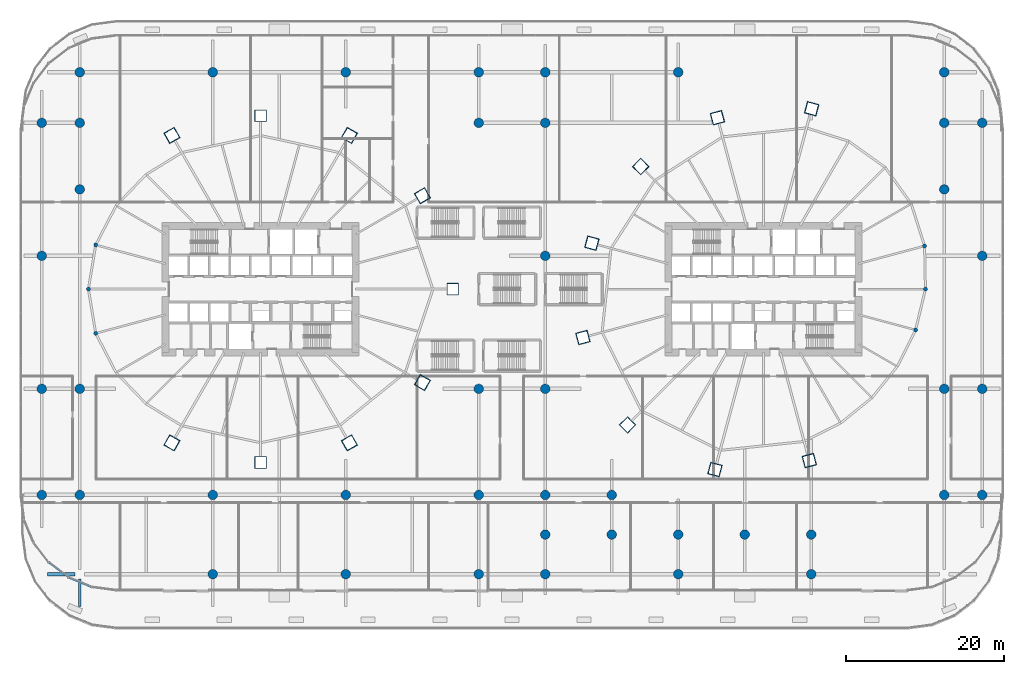
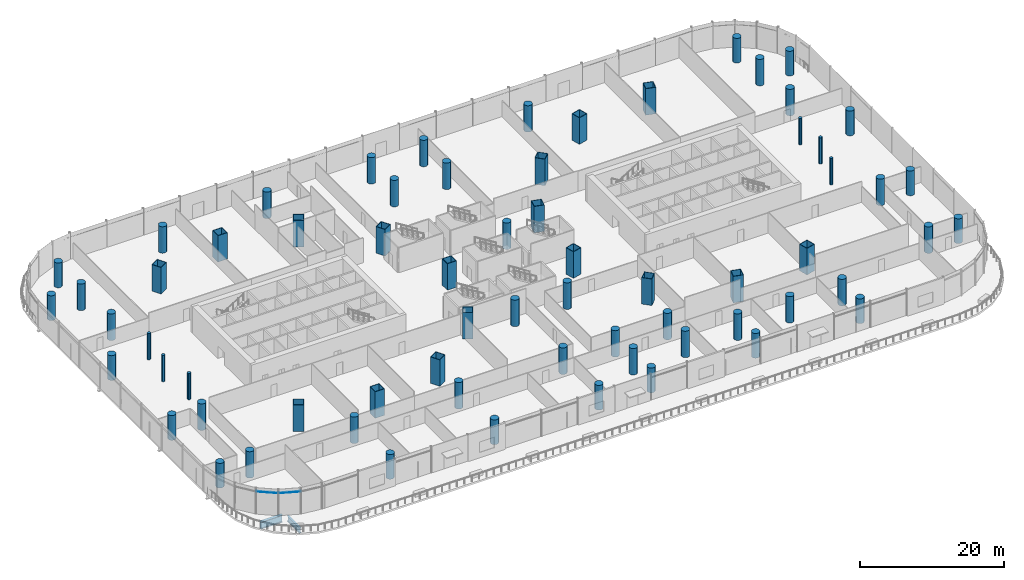
# One storey, part 1 of 43: 67 columns, 2 beams, 2 members, 1 element without a shape of its own.
"""IFC4 building model written with IfcOpenShell, lengths in metres."""

from ifc_helpers import new_model, si_unit, direction, frame, origin, origin_2d, place, context, subcontext, project, spatial, rectangle, hollow_rectangle, circle, i_section, extrude, material, material_profile, profile_set, type_object, element, aggregate, save


model = new_model("IFC4")

# Units and contexts
model_context = context("Model", 3, precision=1e-05, world=origin(), true_north=direction((0.0, 1.0)))
body_context = subcontext(model_context, "Body", "Model", "MODEL_VIEW")
ifc_project = project(units=[si_unit("LENGTHUNIT", "METRE"), si_unit("AREAUNIT", "SQUARE_METRE"), si_unit("VOLUMEUNIT", "CUBIC_METRE"), si_unit("PLANEANGLEUNIT", "RADIAN"), si_unit("MASSUNIT", "GRAM", prefix="KILO")], contexts=[model_context])

# Site, building, storey
site_placement = place(None, origin())
site = spatial("IfcSite", under=ifc_project, at=site_placement, CompositionType="ELEMENT")
building_placement = place(site_placement, origin())
building = spatial("IfcBuilding", under=site, at=building_placement, Name="Rimbun Link Towers", CompositionType="ELEMENT")
storey_placement = place(building_placement, frame((0.0, 0.0, 12.0)))
storey = spatial("IfcBuildingStorey", under=building, at=storey_placement, Name="L02", CompositionType="ELEMENT", Elevation=12.0)

# Columns
ifc_material_1 = material(Name="Steel S460N", Category="steel")
ifc_material_profile_1 = material_profile(ifc_material_1, hollow_rectangle(XDim=1.5, YDim=1.5, WallThickness=0.070068359375, at=origin_2d()), Name="BOX 1500x1500x70")
ifc_profile_set_1 = profile_set([ifc_material_profile_1], Name="Steel S460N")
column_type_1 = type_object("IfcColumnType", Name="BOX 1500x1500x70", PredefinedType="COLUMN", material=ifc_profile_set_1)
for number, where, z_axis, x_axis, name in (
    (1, (-7.4873046875, 0.0, 0.0), (0.0, 0.0, 1.0), (1.0, 0.0, 0.0), "Mega column T1 L02 00"),
    (2, (-11.316650390625, 11.797119140625, 0.0), (0.0, 0.0, 1.0), (0.866025403784, 0.5, 0.0), "Mega column T1 L02 02"),
    (3, (-20.538818359375, 19.418212890625, 0.0), (0.0, 0.0, 1.0), (0.5, 0.866025403784, 0.0), "Mega column T1 L02 04"),
    (4, (-31.75, 21.904296875, 0.0), (0.0, 0.0, 1.0), (0.0, 1.0, 0.0), "Mega column T1 L02 06"),
    (5, (-42.961181640625, 19.418212890625, 0.0), (0.0, 0.0, 1.0), (-0.5, 0.866025403784, 0.0), "Mega column T1 L02 08"),
    (6, (-42.961181640625, -19.418212890625, 0.0), (0.0, 0.0, 1.0), (-0.5, -0.866025403784, 0.0), "Mega column T1 L02 16"),
    (7, (-31.75, -21.904296875, 0.0), (0.0, 0.0, 1.0), (0.0, -1.0, 0.0), "Mega column T1 L02 18"),
    (8, (-20.538818359375, -19.418212890625, 0.0), (0.0, 0.0, 1.0), (0.5, -0.866025403784, 0.0), "Mega column T1 L02 20"),
    (9, (-11.316650390625, -11.797119140625, 0.0), (0.0, 0.0, 1.0), (0.866025403784, -0.5, 0.0), "Mega column T1 L02 22"),
    (10, (37.856689453125, 22.790283203125, 0.0), (0.0, 0.0, 1.0), (0.258819045103, 0.965925826289, 0.0), "Mega column T2 L02 02"),
    (11, (25.94677734375, 21.658203125, 0.0), (0.0, 0.0, 1.0), (-0.258819045103, 0.965925826289, 0.0), "Mega column T2 L02 04"),
    (12, (16.261474609375, 15.488525390625, 0.0), (0.0, 0.0, 1.0), (-0.707106781187, 0.707106781187, 0.0), "Mega column T2 L02 06"),
    (13, (10.091796875, 5.80322265625, 0.0), (0.0, 0.0, 1.0), (-0.965925826289, 0.258819045103, 0.0), "Mega column T2 L02 08"),
    (14, (8.959716796875, -6.106689453125, 0.0), (0.0, 0.0, 1.0), (-0.965925826289, -0.258819045103, 0.0), "Mega column T2 L02 10"),
    (15, (14.59375, -17.15625, 0.0), (0.0, 0.0, 1.0), (-0.707106781187, -0.707106781187, 0.0), "Mega column T2 L02 12"),
    (16, (25.643310546875, -22.790283203125, 0.0), (0.0, 0.0, 1.0), (-0.258819045103, -0.965925826289, 0.0), "Mega column T2 L02 14"),
    (17, (37.55322265625, -21.658203125, 0.0), (0.0, 0.0, 1.0), (0.258819045103, -0.965925826289, 0.0), "Mega column T2 L02 16"),
):
    element("IfcColumn", number, at=place(storey_placement, frame(where, z_axis=z_axis, x_axis=x_axis)), inside=storey, type_object=column_type_1, Name=name, PredefinedType="COLUMN", context=body_context, shape_type="SweptSolid", body=[
        extrude(hollow_rectangle(XDim=1.5, YDim=1.5, WallThickness=0.070068359375, at=origin_2d()), origin(), (0.0, 0.0, 1.0), 4.5),
    ])
ifc_material_2 = material(Name="Concrete C80/95", Category="concrete")
ifc_material_profile_2 = material_profile(ifc_material_2, circle(Radius=0.60009765625, at=origin_2d()), Name="RC D1200")
ifc_profile_set_2 = profile_set([ifc_material_profile_2], Name="Concrete C80/95")
column_type_2 = type_object("IfcColumnType", Name="RC D1200", PredefinedType="COLUMN", material=ifc_profile_set_2)
for number, where, z_axis, x_axis, name in (
    (18, (-59.39990234375, -26.0, 0.0), (0.0, 0.0, 1.0), (1.0, 0.0, 0.0), "Column L02 -59.4 -26.0"),
    (19, (-59.39990234375, -12.60009765625, 0.0), (0.0, 0.0, 1.0), (1.0, 0.0, 0.0), "Column L02 -59.4 -12.6"),
    (20, (-59.39990234375, 4.199951171875, 0.0), (0.0, 0.0, 1.0), (1.0, 0.0, 0.0), "Column L02 -59.4 +4.2"),
    (21, (-59.39990234375, 21.0, 0.0), (0.0, 0.0, 1.0), (1.0, 0.0, 0.0), "Column L02 -59.4 +21.0"),
):
    element("IfcColumn", number, at=place(storey_placement, frame(where, z_axis=z_axis, x_axis=x_axis)), inside=storey, type_object=column_type_2, Name=name, PredefinedType="COLUMN", context=body_context, shape_type="SweptSolid", body=[
        extrude(circle(Radius=0.60009765625, at=origin_2d()), origin(), (0.0, 0.0, 1.0), 4.199951171875),
    ])
for number, where, z_axis, x_axis, name in (
    (22, (-54.60009765625, -26.0, 0.0), (0.0, 0.0, 1.0), (1.0, 0.0, 0.0), "Column L02 -54.6 -26.0"),
    (23, (-54.60009765625, -12.60009765625, 0.0), (0.0, 0.0, 1.0), (1.0, 0.0, 0.0), "Column L02 -54.6 -12.6"),
    (24, (-54.60009765625, 12.60009765625, 0.0), (0.0, 0.0, 1.0), (1.0, 0.0, 0.0), "Column L02 -54.6 +12.6"),
    (25, (-54.60009765625, 21.0, 0.0), (0.0, 0.0, 1.0), (1.0, 0.0, 0.0), "Column L02 -54.6 +21.0"),
):
    element("IfcColumn", number, at=place(storey_placement, frame(where, z_axis=z_axis, x_axis=x_axis)), inside=storey, type_object=column_type_2, Name=name, PredefinedType="COLUMN", context=body_context, shape_type="SweptSolid", body=[
        extrude(circle(Radius=0.60009765625, at=origin_2d()), origin(), (0.0, 0.0, 1.0), 4.5),
    ])
for number, where, z_axis, x_axis, name in (
    (26, (-54.60009765625, 27.39990234375, 0.0), (0.0, 0.0, 1.0), (1.0, 0.0, 0.0), "Column L02 -54.6 +27.4"),
    (27, (-37.800048828125, -36.0, 0.0), (0.0, 0.0, 1.0), (1.0, 0.0, 0.0), "Column L02 -37.8 -36.0"),
):
    element("IfcColumn", number, at=place(storey_placement, frame(where, z_axis=z_axis, x_axis=x_axis)), inside=storey, type_object=column_type_2, Name=name, PredefinedType="COLUMN", context=body_context, shape_type="SweptSolid", body=[
        extrude(circle(Radius=0.60009765625, at=origin_2d()), origin(), (0.0, 0.0, 1.0), 4.199951171875),
    ])
for number, where, z_axis, x_axis, name in (
    (28, (-37.800048828125, -26.0, 0.0), (0.0, 0.0, 1.0), (1.0, 0.0, 0.0), "Column L02 -37.8 -26.0"),
    (29, (-37.800048828125, 27.39990234375, 0.0), (0.0, 0.0, 1.0), (1.0, 0.0, 0.0), "Column L02 -37.8 +27.4"),
):
    element("IfcColumn", number, at=place(storey_placement, frame(where, z_axis=z_axis, x_axis=x_axis)), inside=storey, type_object=column_type_2, Name=name, PredefinedType="COLUMN", context=body_context, shape_type="SweptSolid", body=[
        extrude(circle(Radius=0.60009765625, at=origin_2d()), origin(), (0.0, 0.0, 1.0), 4.5),
    ])
column_1_placement = place(storey_placement, frame((-21.0, -36.0, 0.0), z_axis=(0.0, 0.0, 1.0), x_axis=(1.0, 0.0, 0.0)))
element("IfcColumn", 30, at=column_1_placement, inside=storey, type_object=column_type_2, Name="Column L02 -21.0 -36.0", PredefinedType="COLUMN", context=body_context, shape_type="SweptSolid", body=[
    extrude(circle(Radius=0.60009765625, at=origin_2d()), origin(), (0.0, 0.0, 1.0), 4.199951171875),
])
for number, where, z_axis, x_axis, name in (
    (31, (-21.0, -26.0, 0.0), (0.0, 0.0, 1.0), (1.0, 0.0, 0.0), "Column L02 -21.0 -26.0"),
    (32, (-21.0, 27.39990234375, 0.0), (0.0, 0.0, 1.0), (1.0, 0.0, 0.0), "Column L02 -21.0 +27.4"),
):
    element("IfcColumn", number, at=place(storey_placement, frame(where, z_axis=z_axis, x_axis=x_axis)), inside=storey, type_object=column_type_2, Name=name, PredefinedType="COLUMN", context=body_context, shape_type="SweptSolid", body=[
        extrude(circle(Radius=0.60009765625, at=origin_2d()), origin(), (0.0, 0.0, 1.0), 4.5),
    ])
column_2_placement = place(storey_placement, frame((-4.199951171875, -36.0, 0.0), z_axis=(0.0, 0.0, 1.0), x_axis=(1.0, 0.0, 0.0)))
element("IfcColumn", 33, at=column_2_placement, inside=storey, type_object=column_type_2, Name="Column L02 -4.2 -36.0", PredefinedType="COLUMN", context=body_context, shape_type="SweptSolid", body=[
    extrude(circle(Radius=0.60009765625, at=origin_2d()), origin(), (0.0, 0.0, 1.0), 4.199951171875),
])
for number, where, z_axis, x_axis, name in (
    (34, (-4.199951171875, -26.0, 0.0), (0.0, 0.0, 1.0), (1.0, 0.0, 0.0), "Column L02 -4.2 -26.0"),
    (35, (-4.199951171875, -12.60009765625, 0.0), (0.0, 0.0, 1.0), (1.0, 0.0, 0.0), "Column L02 -4.2 -12.6"),
    (36, (-4.199951171875, 21.0, 0.0), (0.0, 0.0, 1.0), (1.0, 0.0, 0.0), "Column L02 -4.2 +21.0"),
    (37, (-4.199951171875, 27.39990234375, 0.0), (0.0, 0.0, 1.0), (1.0, 0.0, 0.0), "Column L02 -4.2 +27.4"),
):
    element("IfcColumn", number, at=place(storey_placement, frame(where, z_axis=z_axis, x_axis=x_axis)), inside=storey, type_object=column_type_2, Name=name, PredefinedType="COLUMN", context=body_context, shape_type="SweptSolid", body=[
        extrude(circle(Radius=0.60009765625, at=origin_2d()), origin(), (0.0, 0.0, 1.0), 4.5),
    ])
column_3_placement = place(storey_placement, frame((4.199951171875, -36.0, 0.0), z_axis=(0.0, 0.0, 1.0), x_axis=(1.0, 0.0, 0.0)))
element("IfcColumn", 38, at=column_3_placement, inside=storey, type_object=column_type_2, Name="Column L02 +4.2 -36.0", PredefinedType="COLUMN", context=body_context, shape_type="SweptSolid", body=[
    extrude(circle(Radius=0.60009765625, at=origin_2d()), origin(), (0.0, 0.0, 1.0), 4.199951171875),
])
for number, where, z_axis, x_axis, name in (
    (39, (4.199951171875, -31.0, 0.0), (0.0, 0.0, 1.0), (1.0, 0.0, 0.0), "Column L02 +4.2 -31.0"),
    (40, (4.199951171875, -26.0, 0.0), (0.0, 0.0, 1.0), (1.0, 0.0, 0.0), "Column L02 +4.2 -26.0"),
    (41, (4.199951171875, -12.60009765625, 0.0), (0.0, 0.0, 1.0), (1.0, 0.0, 0.0), "Column L02 +4.2 -12.6"),
    (42, (4.199951171875, 4.199951171875, 0.0), (0.0, 0.0, 1.0), (1.0, 0.0, 0.0), "Column L02 +4.2 +4.2"),
    (43, (4.199951171875, 21.0, 0.0), (0.0, 0.0, 1.0), (1.0, 0.0, 0.0), "Column L02 +4.2 +21.0"),
    (44, (4.199951171875, 27.39990234375, 0.0), (0.0, 0.0, 1.0), (1.0, 0.0, 0.0), "Column L02 +4.2 +27.4"),
    (45, (12.60009765625, -31.0, 0.0), (0.0, 0.0, 1.0), (1.0, 0.0, 0.0), "Column L02 +12.6 -31.0"),
    (46, (12.60009765625, -26.0, 0.0), (0.0, 0.0, 1.0), (1.0, 0.0, 0.0), "Column L02 +12.6 -26.0"),
):
    element("IfcColumn", number, at=place(storey_placement, frame(where, z_axis=z_axis, x_axis=x_axis)), inside=storey, type_object=column_type_2, Name=name, PredefinedType="COLUMN", context=body_context, shape_type="SweptSolid", body=[
        extrude(circle(Radius=0.60009765625, at=origin_2d()), origin(), (0.0, 0.0, 1.0), 4.5),
    ])
column_4_placement = place(storey_placement, frame((21.0, -36.0, 0.0), z_axis=(0.0, 0.0, 1.0), x_axis=(1.0, 0.0, 0.0)))
element("IfcColumn", 47, at=column_4_placement, inside=storey, type_object=column_type_2, Name="Column L02 +21.0 -36.0", PredefinedType="COLUMN", context=body_context, shape_type="SweptSolid", body=[
    extrude(circle(Radius=0.60009765625, at=origin_2d()), origin(), (0.0, 0.0, 1.0), 4.199951171875),
])
for number, where, z_axis, x_axis, name in (
    (48, (21.0, -31.0, 0.0), (0.0, 0.0, 1.0), (1.0, 0.0, 0.0), "Column L02 +21.0 -31.0"),
    (49, (21.0, 27.39990234375, 0.0), (0.0, 0.0, 1.0), (1.0, 0.0, 0.0), "Column L02 +21.0 +27.4"),
    (50, (29.39990234375, -31.0, 0.0), (0.0, 0.0, 1.0), (1.0, 0.0, 0.0), "Column L02 +29.4 -31.0"),
):
    element("IfcColumn", number, at=place(storey_placement, frame(where, z_axis=z_axis, x_axis=x_axis)), inside=storey, type_object=column_type_2, Name=name, PredefinedType="COLUMN", context=body_context, shape_type="SweptSolid", body=[
        extrude(circle(Radius=0.60009765625, at=origin_2d()), origin(), (0.0, 0.0, 1.0), 4.5),
    ])
column_5_placement = place(storey_placement, frame((37.800048828125, -36.0, 0.0), z_axis=(0.0, 0.0, 1.0), x_axis=(1.0, 0.0, 0.0)))
element("IfcColumn", 51, at=column_5_placement, inside=storey, type_object=column_type_2, Name="Column L02 +37.8 -36.0", PredefinedType="COLUMN", context=body_context, shape_type="SweptSolid", body=[
    extrude(circle(Radius=0.60009765625, at=origin_2d()), origin(), (0.0, 0.0, 1.0), 4.199951171875),
])
for number, where, z_axis, x_axis, name in (
    (52, (37.800048828125, -31.0, 0.0), (0.0, 0.0, 1.0), (1.0, 0.0, 0.0), "Column L02 +37.8 -31.0"),
    (53, (54.60009765625, -26.0, 0.0), (0.0, 0.0, 1.0), (1.0, 0.0, 0.0), "Column L02 +54.6 -26.0"),
    (54, (54.60009765625, -12.60009765625, 0.0), (0.0, 0.0, 1.0), (1.0, 0.0, 0.0), "Column L02 +54.6 -12.6"),
    (55, (54.60009765625, 12.60009765625, 0.0), (0.0, 0.0, 1.0), (1.0, 0.0, 0.0), "Column L02 +54.6 +12.6"),
    (56, (54.60009765625, 21.0, 0.0), (0.0, 0.0, 1.0), (1.0, 0.0, 0.0), "Column L02 +54.6 +21.0"),
):
    element("IfcColumn", number, at=place(storey_placement, frame(where, z_axis=z_axis, x_axis=x_axis)), inside=storey, type_object=column_type_2, Name=name, PredefinedType="COLUMN", context=body_context, shape_type="SweptSolid", body=[
        extrude(circle(Radius=0.60009765625, at=origin_2d()), origin(), (0.0, 0.0, 1.0), 4.5),
    ])
for number, where, z_axis, x_axis, name in (
    (57, (54.60009765625, 27.39990234375, 0.0), (0.0, 0.0, 1.0), (1.0, 0.0, 0.0), "Column L02 +54.6 +27.4"),
    (58, (59.39990234375, -26.0, 0.0), (0.0, 0.0, 1.0), (1.0, 0.0, 0.0), "Column L02 +59.4 -26.0"),
    (59, (59.39990234375, -12.60009765625, 0.0), (0.0, 0.0, 1.0), (1.0, 0.0, 0.0), "Column L02 +59.4 -12.6"),
    (60, (59.39990234375, 4.199951171875, 0.0), (0.0, 0.0, 1.0), (1.0, 0.0, 0.0), "Column L02 +59.4 +4.2"),
    (61, (59.39990234375, 21.0, 0.0), (0.0, 0.0, 1.0), (1.0, 0.0, 0.0), "Column L02 +59.4 +21.0"),
):
    element("IfcColumn", number, at=place(storey_placement, frame(where, z_axis=z_axis, x_axis=x_axis)), inside=storey, type_object=column_type_2, Name=name, PredefinedType="COLUMN", context=body_context, shape_type="SweptSolid", body=[
        extrude(circle(Radius=0.60009765625, at=origin_2d()), origin(), (0.0, 0.0, 1.0), 4.199951171875),
    ])
ifc_material_3 = material(Name="Concrete C80/95", Category="concrete")
ifc_material_profile_3 = material_profile(ifc_material_3, circle(Radius=0.25, at=origin_2d()), Name="RC D500")
ifc_profile_set_3 = profile_set([ifc_material_profile_3], Name="Concrete C80/95")
column_type_3 = type_object("IfcColumnType", Name="RC D500", PredefinedType="COLUMN", material=ifc_profile_set_3)
for number, where, z_axis, x_axis, name in (
    (62, (-52.58642578125, 5.5830078125, 0.0), (0.0, 0.0, 1.0), (1.0, 0.0, 0.0), "Recess post T1 L02 11"),
    (63, (-53.50927734375, 0.0, 0.0), (0.0, 0.0, 1.0), (1.0, 0.0, 0.0), "Recess post T1 L02 12"),
    (64, (-52.58642578125, -5.5830078125, 0.0), (0.0, 0.0, 1.0), (1.0, 0.0, 0.0), "Recess post T1 L02 13"),
    (65, (50.98828125, -5.15478515625, 0.0), (0.0, 0.0, 1.0), (1.0, 0.0, 0.0), "Recess post T2 L02 20"),
    (66, (52.226318359375, 0.0, 0.0), (0.0, 0.0, 1.0), (1.0, 0.0, 0.0), "Recess post T2 L02 21"),
    (67, (52.118408203125, 5.457763671875, 0.0), (0.0, 0.0, 1.0), (1.0, 0.0, 0.0), "Recess post T2 L02 22"),
):
    element("IfcColumn", number, at=place(storey_placement, frame(where, z_axis=z_axis, x_axis=x_axis)), inside=storey, type_object=column_type_3, Name=name, PredefinedType="COLUMN", context=body_context, shape_type="SweptSolid", body=[
        extrude(circle(Radius=0.25, at=origin_2d()), origin(), (0.0, 0.0, 1.0), 4.5),
    ])

# Curtain wall, members
ifc_material_4 = material(Name="Aluminium 6063-T6 and low-iron glass", Category="aluminium")
curtain_wall_type = type_object("IfcCurtainWallType", Name="CW3 podium shopfront", PredefinedType="NOTDEFINED", material=ifc_material_4)
curtain_wall_placement = place(storey_placement, origin())
curtain_wall = element("IfcCurtainWall", 68, at=curtain_wall_placement, inside=storey, type_object=curtain_wall_type, Name="CW3 L02 PD", PredefinedType="NOTDEFINED")
ifc_material_5 = material(Name="Aluminium 6063-T6", Category="aluminium")
ifc_material_profile_4 = material_profile(ifc_material_5, rectangle(XDim=0.06005859375, YDim=0.1201171875, at=origin_2d()), Name="TRANSOM 60X120")
ifc_profile_set_4 = profile_set([ifc_material_profile_4], Name="Aluminium 6063-T6")
member_type = type_object("IfcMemberType", Name="CW3 transom 60X120", PredefinedType="USERDEFINED", material=ifc_profile_set_4)
member_1_placement = place(storey_placement, frame((-56.056640625, -36.4169921875, 3.89990234375), z_axis=(-0.793344129687, 0.608773432314, 0.0), x_axis=(-0.608773432314, -0.793344129687, 0.0)))
member_1 = element("IfcMember", 69, at=member_1_placement, type_object=member_type, Name="CW3 transom", ObjectType="TRANSOM", PredefinedType="USERDEFINED", context=body_context, shape_type="SweptSolid", body=[
    extrude(rectangle(XDim=0.06005859375, YDim=0.1201171875, at=origin_2d()), origin(), (0.0, 0.0, 1.0), 3.07275390625),
])
member_2_placement = place(storey_placement, frame((-53.154296875, -37.62939453125, 3.89990234375), z_axis=(-0.923881248716, 0.382679289053, 0.0), x_axis=(-0.382679289053, -0.923881248716, 0.0)))
member_2 = element("IfcMember", 70, at=member_2_placement, type_object=member_type, Name="CW3 transom", ObjectType="TRANSOM", PredefinedType="USERDEFINED", context=body_context, shape_type="SweptSolid", body=[
    extrude(rectangle(XDim=0.06005859375, YDim=0.1201171875, at=origin_2d()), origin(), (0.0, 0.0, 1.0), 3.072509765625),
])
aggregate(curtain_wall, [member_1, member_2])

# Beams
ifc_material_6 = material(Name="Steel S355J2", Category="steel")
ifc_material_profile_5 = material_profile(ifc_material_6, i_section(OverallWidth=0.449951171875, OverallDepth=1.199951171875, WebThickness=0.030029296875, FlangeThickness=0.044921875, at=origin_2d()), Name="PG 1200x450x30/45")
ifc_profile_set_5 = profile_set([ifc_material_profile_5], Name="Steel S355J2")
beam_type_1 = type_object("IfcBeamType", Name="PG 1200x450x30/45", PredefinedType="BEAM", material=ifc_profile_set_5)
beam_1_placement = place(storey_placement, frame((-58.699951171875, -36.0, -0.89990234375), z_axis=(1.0, 0.0, 0.0), x_axis=(0.0, 1.0, 0.0)))
element("IfcBeam", 71, at=beam_1_placement, inside=storey, type_object=beam_type_1, Name="Grid beam L02 -36.0", PredefinedType="BEAM", context=body_context, shape_type="SweptSolid", body=[
    extrude(i_section(OverallWidth=0.449951171875, OverallDepth=1.199951171875, WebThickness=0.030029296875, FlangeThickness=0.044921875, at=origin_2d()), origin(), (0.0, 0.0, 1.0), 3.5),
])
ifc_material_7 = material(Name="Steel S355J2", Category="steel")
ifc_material_profile_6 = material_profile(ifc_material_7, i_section(OverallWidth=0.305419921875, OverallDepth=0.91845703125, WebThickness=0.017333984375, FlangeThickness=0.02783203125, at=origin_2d()), Name="UB 914x305x253")
ifc_profile_set_6 = profile_set([ifc_material_profile_6], Name="Steel S355J2")
beam_type_2 = type_object("IfcBeamType", Name="UB 914x305x253", PredefinedType="BEAM", material=ifc_profile_set_6)
beam_2_placement = place(storey_placement, frame((-54.60009765625, -40.10009765625, -0.75927734375), z_axis=(0.0, 1.0, 0.0), x_axis=(-1.0, 0.0, 0.0)))
element("IfcBeam", 72, at=beam_2_placement, inside=storey, type_object=beam_type_2, Name="Grid beam L02 -54.6", PredefinedType="BEAM", context=body_context, shape_type="SweptSolid", body=[
    extrude(i_section(OverallWidth=0.305419921875, OverallDepth=0.91845703125, WebThickness=0.017333984375, FlangeThickness=0.02783203125, at=origin_2d()), origin(), (0.0, 0.0, 1.0), 3.5),
])

save(model, "model.ifc")
